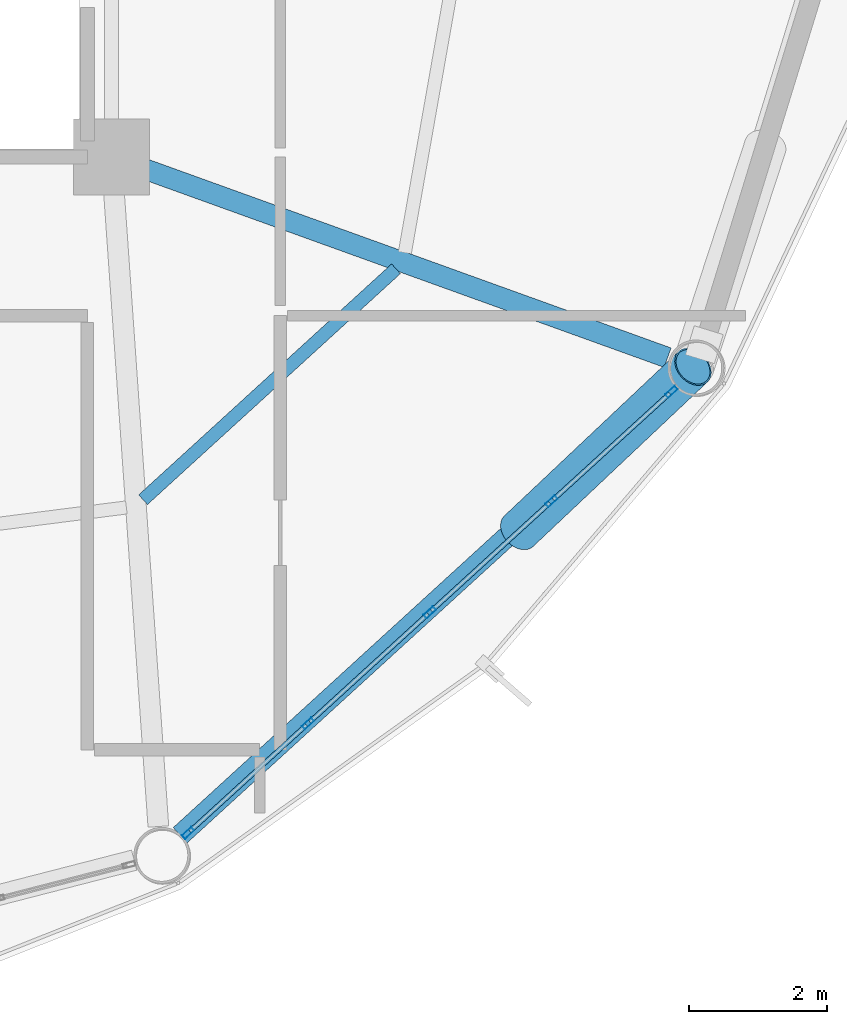
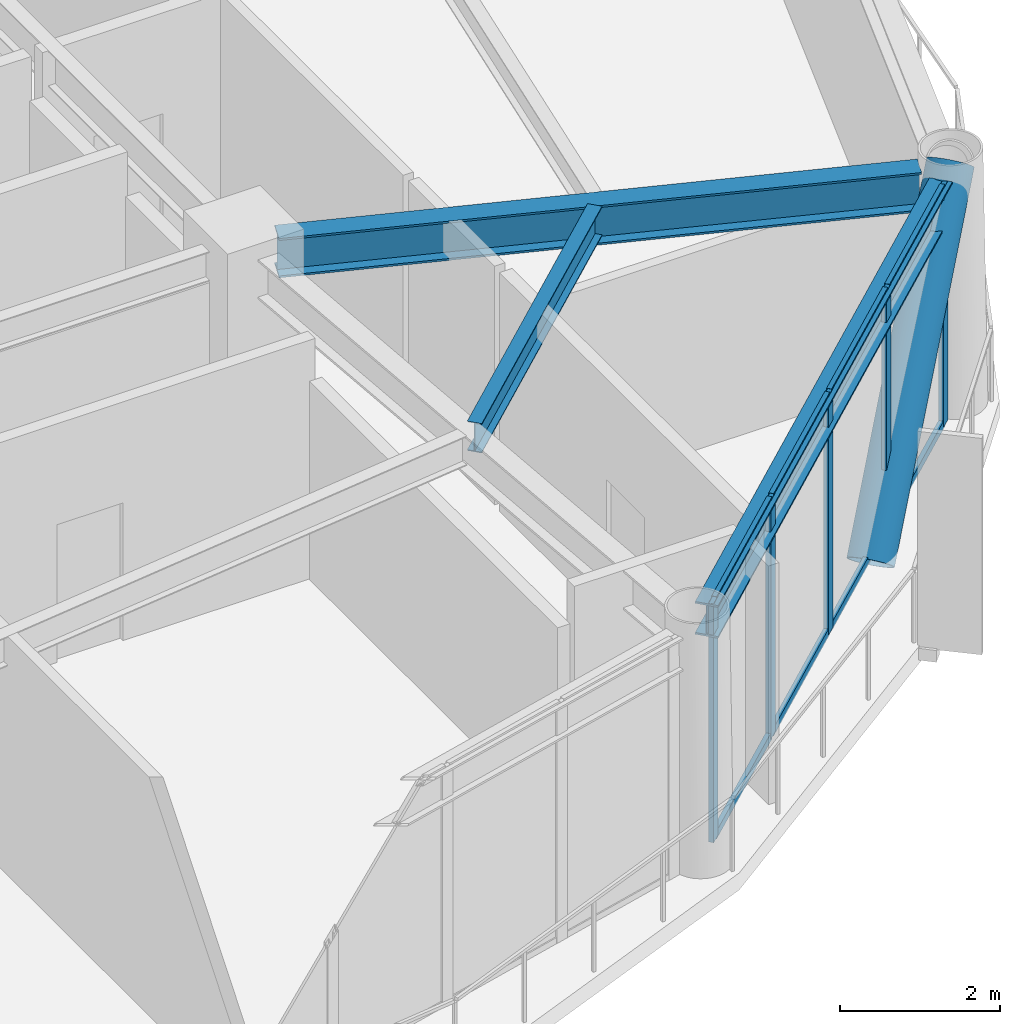
# One storey, part 12 of 24: 14 members, 3 beams, 1 element without a shape of its own.
"""IFC4 building model written with IfcOpenShell, lengths in metres."""

from ifc_helpers import new_model, si_unit, direction, frame, origin, origin_2d, place, context, subcontext, project, spatial, hollow_rectangle, hollow_circle, i_section, extrude, material, layer, layer_set, material_profile, profile_set, type_object, element, aggregate, save


model = new_model("IFC4")

# Units and contexts
model_context = context("Model", 3, precision=1e-05, world=origin(), true_north=direction((0.0, 1.0)))
body_context = subcontext(model_context, "Body", "Model", "MODEL_VIEW")
ifc_project = project(units=[si_unit("LENGTHUNIT", "METRE"), si_unit("AREAUNIT", "SQUARE_METRE"), si_unit("VOLUMEUNIT", "CUBIC_METRE"), si_unit("PLANEANGLEUNIT", "RADIAN"), si_unit("MASSUNIT", "GRAM", prefix="KILO")], contexts=[model_context])

# Site, building, storey
site_placement = place(None, origin())
site = spatial("IfcSite", under=ifc_project, at=site_placement, CompositionType="ELEMENT")
building_placement = place(site_placement, origin())
building = spatial("IfcBuilding", under=site, at=building_placement, Name="Varnakorn Sky Granary", CompositionType="ELEMENT")
storey_placement = place(building_placement, frame((0.0, 0.0, 118.800048828125)))
storey = spatial("IfcBuildingStorey", under=building, at=storey_placement, Name="L29", CompositionType="ELEMENT", Elevation=118.800048828125)

# Beams
ifc_material_1 = material(Name="Steel S355JR", Category="steel")
ifc_material_profile_1 = material_profile(ifc_material_1, i_section(OverallWidth=0.300048828125, OverallDepth=0.60009765625, WebThickness=0.015380859375, FlangeThickness=0.030029296875, at=origin_2d()), Name="HE 600 B")
ifc_profile_set_1 = profile_set([ifc_material_profile_1], Name="Steel S355JR")
beam_type_1 = type_object("IfcBeamType", Name="BM-RAD-Z2", PredefinedType="BEAM", material=ifc_profile_set_1)
beam_1_placement = place(storey_placement, frame((8.7451171875, -6.742431640625, 3.33984375), z_axis=(0.940665138108, -0.339336260882, 0.0), x_axis=(0.339336260882, 0.940665138108, 0.0)))
element("IfcBeam", 1, at=beam_1_placement, inside=storey, type_object=beam_type_1, Name="Radial Floor Girder RG12 L29", PredefinedType="BEAM", context=body_context, shape_type="SweptSolid", body=[
    extrude(i_section(OverallWidth=0.300048828125, OverallDepth=0.60009765625, WebThickness=0.015380859375, FlangeThickness=0.030029296875, at=origin_2d()), origin(), (0.0, 0.0, 1.0), 8.156494140625),
])
ifc_material_profile_2 = material_profile(ifc_material_1, i_section(OverallWidth=0.18994140625, OverallDepth=0.449951171875, WebThickness=0.009521484375, FlangeThickness=0.0146484375, at=origin_2d()), Name="IPE 450")
ifc_profile_set_2 = profile_set([ifc_material_profile_2], Name="Steel S355JR")
beam_type_2 = type_object("IfcBeamType", Name="BM-SEC-Z2", PredefinedType="BEAM", material=ifc_profile_set_2)
beam_2_placement = place(storey_placement, frame((8.80810546875, -11.571044921875, 3.4150390625), z_axis=(0.738531229275, 0.674219269515, 0.0), x_axis=(-0.674219269515, 0.738531229275, 0.0)))
element("IfcBeam", 2, at=beam_2_placement, inside=storey, type_object=beam_type_2, Name="Secondary Floor Chord Beam MSB11 L29", PredefinedType="BEAM", context=body_context, shape_type="SweptSolid", body=[
    extrude(i_section(OverallWidth=0.18994140625, OverallDepth=0.449951171875, WebThickness=0.009521484375, FlangeThickness=0.0146484375, at=origin_2d()), origin(), (0.0, 0.0, 1.0), 4.96923828125),
])
ifc_material_profile_3 = material_profile(ifc_material_1, i_section(OverallWidth=0.300048828125, OverallDepth=0.5, WebThickness=0.014404296875, FlangeThickness=0.028076171875, at=origin_2d()), Name="HE 500 B")
ifc_profile_set_3 = profile_set([ifc_material_profile_3], Name="Steel S355JR")
beam_type_3 = type_object("IfcBeamType", Name="BM-SPD-Z2", PredefinedType="SPANDREL", material=ifc_profile_set_3)
beam_3_placement = place(storey_placement, frame((9.3466796875, -16.438232421875, 3.389892578125), z_axis=(0.738350124804, 0.67441759556, 0.0), x_axis=(-0.67441759556, 0.738350124804, 0.0)))
element("IfcBeam", 3, at=beam_3_placement, inside=storey, type_object=beam_type_3, Name="Perimeter Spandrel Ring Beam RB11 L29", PredefinedType="SPANDREL", context=body_context, shape_type="SweptSolid", body=[
    extrude(i_section(OverallWidth=0.300048828125, OverallDepth=0.5, WebThickness=0.014404296875, FlangeThickness=0.028076171875, at=origin_2d()), origin(), (0.0, 0.0, 1.0), 9.684326171875),
])

# Curtain wall, members
ifc_material_2 = material(Name="Anodised Bronze Aluminium Alloy 6063-T6", Category="aluminium")
ifc_layer = layer(ifc_material_2, 0.179931640625, Name="Anodised Bronze Aluminium Alloy 6063-T6")
ifc_layer_set = layer_set([ifc_layer], Name="Anodised Bronze Aluminium Alloy 6063-T6")
curtain_wall_type = type_object("IfcCurtainWallType", Name="CW-FRM-2", PredefinedType="USERDEFINED", material=ifc_layer_set)
curtain_wall_placement = place(storey_placement, origin())
curtain_wall = element("IfcCurtainWall", 4, at=curtain_wall_placement, inside=storey, type_object=curtain_wall_type, Name="Unitised Curtain Wall CW4 CW-L29-B11", ObjectType="CURTAIN WALL", PredefinedType="USERDEFINED")
ifc_material_profile_4 = material_profile(ifc_material_2, hollow_rectangle(XDim=0.070068359375, YDim=0.18505859375, WallThickness=0.00390625, at=origin_2d()), Name="ALU MULL 70x185")
ifc_profile_set_4 = profile_set([ifc_material_profile_4], Name="Anodised Bronze Aluminium Alloy 6063-T6")
member_type_1 = type_object("IfcMemberType", Name="CW-FRM-2-MULL", PredefinedType="MULLION", material=ifc_profile_set_4)
member_1_placement = place(storey_placement, frame((16.4736328125, -10.005126953125, 0.0), z_axis=(0.0, 0.0, 1.0), x_axis=(0.674153081651, -0.738591648003, 0.0)))
member_1 = element("IfcMember", 5, at=member_1_placement, type_object=member_type_1, Name="CW4 mullion 1", PredefinedType="MULLION", context=body_context, shape_type="SweptSolid", body=[
    extrude(hollow_rectangle(XDim=0.070068359375, YDim=0.18505859375, WallThickness=0.00390625, at=origin_2d()), origin(), (0.0, 0.0, 1.0), 3.639892578125),
])
member_2_placement = place(storey_placement, frame((14.733642578125, -11.593505859375, 0.0), z_axis=(0.0, 0.0, 1.0), x_axis=(0.674153081651, -0.738591648003, 0.0)))
member_2 = element("IfcMember", 6, at=member_2_placement, type_object=member_type_1, Name="CW4 mullion 2", PredefinedType="MULLION", context=body_context, shape_type="SweptSolid", body=[
    extrude(hollow_rectangle(XDim=0.070068359375, YDim=0.18505859375, WallThickness=0.00390625, at=origin_2d()), origin(), (0.0, 0.0, 1.0), 3.639892578125),
])
member_3_placement = place(storey_placement, frame((12.967529296875, -13.205322265625, 0.0), z_axis=(0.0, 0.0, 1.0), x_axis=(0.674153081651, -0.738591648003, 0.0)))
member_3 = element("IfcMember", 7, at=member_3_placement, type_object=member_type_1, Name="CW4 mullion 3", PredefinedType="MULLION", context=body_context, shape_type="SweptSolid", body=[
    extrude(hollow_rectangle(XDim=0.070068359375, YDim=0.18505859375, WallThickness=0.00390625, at=origin_2d()), origin(), (0.0, 0.0, 1.0), 3.639892578125),
])
member_4_placement = place(storey_placement, frame((11.20166015625, -14.8173828125, 0.0), z_axis=(0.0, 0.0, 1.0), x_axis=(0.674153081651, -0.738591648003, 0.0)))
member_4 = element("IfcMember", 8, at=member_4_placement, type_object=member_type_1, Name="CW4 mullion 4", PredefinedType="MULLION", context=body_context, shape_type="SweptSolid", body=[
    extrude(hollow_rectangle(XDim=0.070068359375, YDim=0.18505859375, WallThickness=0.00390625, at=origin_2d()), origin(), (0.0, 0.0, 1.0), 3.639892578125),
])
member_5_placement = place(storey_placement, frame((9.46142578125, -16.405517578125, 0.0), z_axis=(0.0, 0.0, 1.0), x_axis=(0.674153081651, -0.738591648003, 0.0)))
member_5 = element("IfcMember", 9, at=member_5_placement, type_object=member_type_1, Name="CW4 mullion 5", PredefinedType="MULLION", context=body_context, shape_type="SweptSolid", body=[
    extrude(hollow_rectangle(XDim=0.070068359375, YDim=0.18505859375, WallThickness=0.00390625, at=origin_2d()), origin(), (0.0, 0.0, 1.0), 3.639892578125),
])
ifc_material_profile_5 = material_profile(ifc_material_2, hollow_rectangle(XDim=0.06494140625, YDim=0.1201171875, WallThickness=0.00341796875, at=origin_2d()), Name="ALU TRAN 65x120")
ifc_profile_set_5 = profile_set([ifc_material_profile_5], Name="Anodised Bronze Aluminium Alloy 6063-T6")
member_type_2 = type_object("IfcMemberType", Name="CW-FRM-2-TRAN", PredefinedType="USERDEFINED", material=ifc_profile_set_5)
member_6_placement = place(storey_placement, frame((16.447998046875, -10.02880859375, 0.032470703125), z_axis=(-0.738624207332, -0.674117408426, 0.0), x_axis=(0.674117408426, -0.738624207332, 0.0)))
member_6 = element("IfcMember", 10, at=member_6_placement, type_object=member_type_2, Name="CW4 transom 1.1", ObjectType="TRANSOM", PredefinedType="USERDEFINED", context=body_context, shape_type="SweptSolid", body=[
    extrude(hollow_rectangle(XDim=0.06494140625, YDim=0.1201171875, WallThickness=0.00341796875, at=origin_2d()), origin(), (0.0, 0.0, 1.0), 2.285888671875),
])
member_7_placement = place(storey_placement, frame((16.447998046875, -10.02880859375, 3.607421875), z_axis=(-0.738624207332, -0.674117408426, 0.0), x_axis=(0.674117408426, -0.738624207332, 0.0)))
member_7 = element("IfcMember", 11, at=member_7_placement, type_object=member_type_2, Name="CW4 transom 1.2", ObjectType="TRANSOM", PredefinedType="USERDEFINED", context=body_context, shape_type="SweptSolid", body=[
    extrude(hollow_rectangle(XDim=0.06494140625, YDim=0.1201171875, WallThickness=0.00341796875, at=origin_2d()), origin(), (0.0, 0.0, 1.0), 2.285888671875),
])
member_8_placement = place(storey_placement, frame((14.707763671875, -11.616943359375, 0.032470703125), z_axis=(-0.738610727526, -0.674132177829, 0.0), x_axis=(0.674132177829, -0.738610727526, 0.0)))
member_8 = element("IfcMember", 12, at=member_8_placement, type_object=member_type_2, Name="CW4 transom 2.1", ObjectType="TRANSOM", PredefinedType="USERDEFINED", context=body_context, shape_type="SweptSolid", body=[
    extrude(hollow_rectangle(XDim=0.06494140625, YDim=0.1201171875, WallThickness=0.00341796875, at=origin_2d()), origin(), (0.0, 0.0, 1.0), 2.321044921875),
])
member_9_placement = place(storey_placement, frame((14.707763671875, -11.616943359375, 3.607421875), z_axis=(-0.738610727526, -0.674132177829, 0.0), x_axis=(0.674132177829, -0.738610727526, 0.0)))
member_9 = element("IfcMember", 13, at=member_9_placement, type_object=member_type_2, Name="CW4 transom 2.2", ObjectType="TRANSOM", PredefinedType="USERDEFINED", context=body_context, shape_type="SweptSolid", body=[
    extrude(hollow_rectangle(XDim=0.06494140625, YDim=0.1201171875, WallThickness=0.00341796875, at=origin_2d()), origin(), (0.0, 0.0, 1.0), 2.321044921875),
])
member_10_placement = place(storey_placement, frame((12.941650390625, -13.22900390625, 0.032470703125), z_axis=(-0.738562920083, -0.674184554168, 0.0), x_axis=(0.674184554168, -0.738562920083, 0.0)))
member_10 = element("IfcMember", 14, at=member_10_placement, type_object=member_type_2, Name="CW4 transom 3.1", ObjectType="TRANSOM", PredefinedType="USERDEFINED", context=body_context, shape_type="SweptSolid", body=[
    extrude(hollow_rectangle(XDim=0.06494140625, YDim=0.1201171875, WallThickness=0.00341796875, at=origin_2d()), origin(), (0.0, 0.0, 1.0), 2.32080078125),
])
member_11_placement = place(storey_placement, frame((12.941650390625, -13.22900390625, 3.607421875), z_axis=(-0.738562920083, -0.674184554168, 0.0), x_axis=(0.674184554168, -0.738562920083, 0.0)))
member_11 = element("IfcMember", 15, at=member_11_placement, type_object=member_type_2, Name="CW4 transom 3.2", ObjectType="TRANSOM", PredefinedType="USERDEFINED", context=body_context, shape_type="SweptSolid", body=[
    extrude(hollow_rectangle(XDim=0.06494140625, YDim=0.1201171875, WallThickness=0.00341796875, at=origin_2d()), origin(), (0.0, 0.0, 1.0), 2.32080078125),
])
member_12_placement = place(storey_placement, frame((11.17578125, -14.8408203125, 0.032470703125), z_axis=(-0.738571031397, -0.674175668191, 0.0), x_axis=(0.674175668191, -0.738571031397, 0.0)))
member_12 = element("IfcMember", 16, at=member_12_placement, type_object=member_type_2, Name="CW4 transom 4.1", ObjectType="TRANSOM", PredefinedType="USERDEFINED", context=body_context, shape_type="SweptSolid", body=[
    extrude(hollow_rectangle(XDim=0.06494140625, YDim=0.1201171875, WallThickness=0.00341796875, at=origin_2d()), origin(), (0.0, 0.0, 1.0), 2.2861328125),
])
member_13_placement = place(storey_placement, frame((11.17578125, -14.8408203125, 3.607421875), z_axis=(-0.738571031397, -0.674175668191, 0.0), x_axis=(0.674175668191, -0.738571031397, 0.0)))
member_13 = element("IfcMember", 17, at=member_13_placement, type_object=member_type_2, Name="CW4 transom 4.2", ObjectType="TRANSOM", PredefinedType="USERDEFINED", context=body_context, shape_type="SweptSolid", body=[
    extrude(hollow_rectangle(XDim=0.06494140625, YDim=0.1201171875, WallThickness=0.00341796875, at=origin_2d()), origin(), (0.0, 0.0, 1.0), 2.2861328125),
])
aggregate(curtain_wall, [member_1, member_2, member_3, member_4, member_5, member_6, member_7, member_8, member_9, member_10, member_11, member_12, member_13])

# Member
ifc_material_3 = material(Name="Steel S460M", Category="steel")
ifc_material_profile_6 = material_profile(ifc_material_3, hollow_circle(Radius=0.304931640625, WallThickness=0.022216796875, at=origin_2d()), Name="CHS 610x22")
ifc_profile_set_6 = profile_set([ifc_material_profile_6], Name="Steel S460M")
member_type_3 = type_object("IfcMemberType", Name="MB-DIAG-T1", PredefinedType="BRACE", material=ifc_profile_set_6)
member_14_placement = place(storey_placement, frame((14.259765625, -12.02587890625, -0.130126953125), z_axis=(0.492876996596, 0.464870456782, 0.735505081314), x_axis=(-0.686136204299, 0.727473098575, 0.0)))
element("IfcMember", 18, at=member_14_placement, inside=storey, type_object=member_type_3, Name="Perimeter CHS Diagrid Brace DG11 L29", PredefinedType="BRACE", context=body_context, shape_type="SweptSolid", body=[
    extrude(hollow_circle(Radius=0.304931640625, WallThickness=0.022216796875, at=origin_2d()), origin(), (0.0, 0.0, 1.0), 5.125732421875),
])

save(model, "model.ifc")
